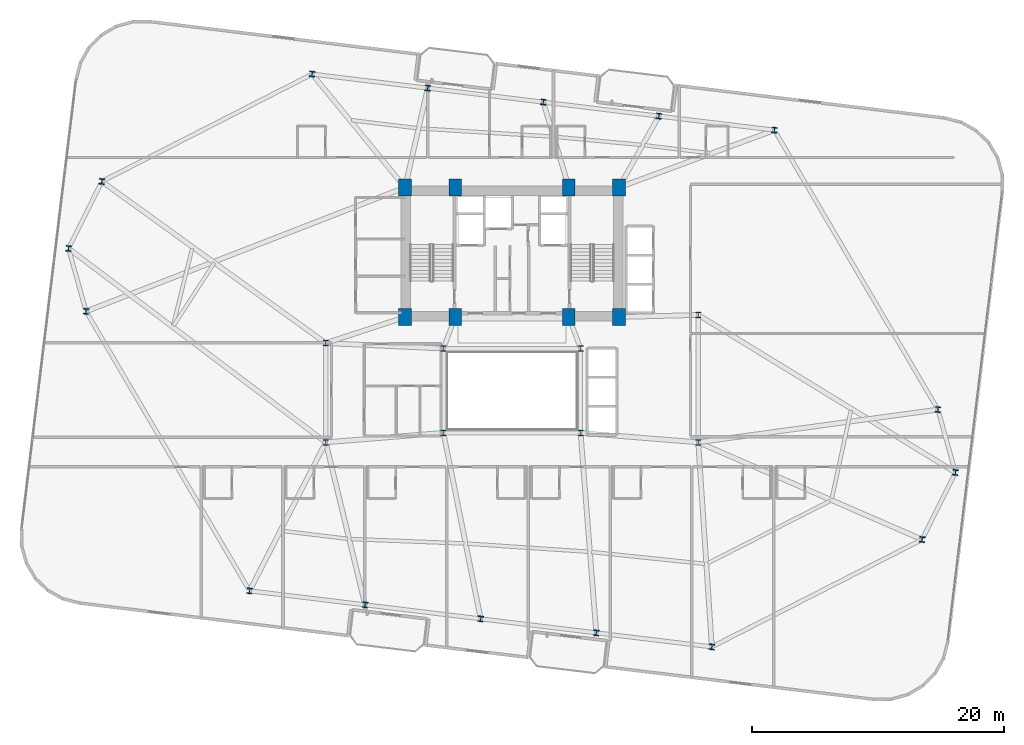
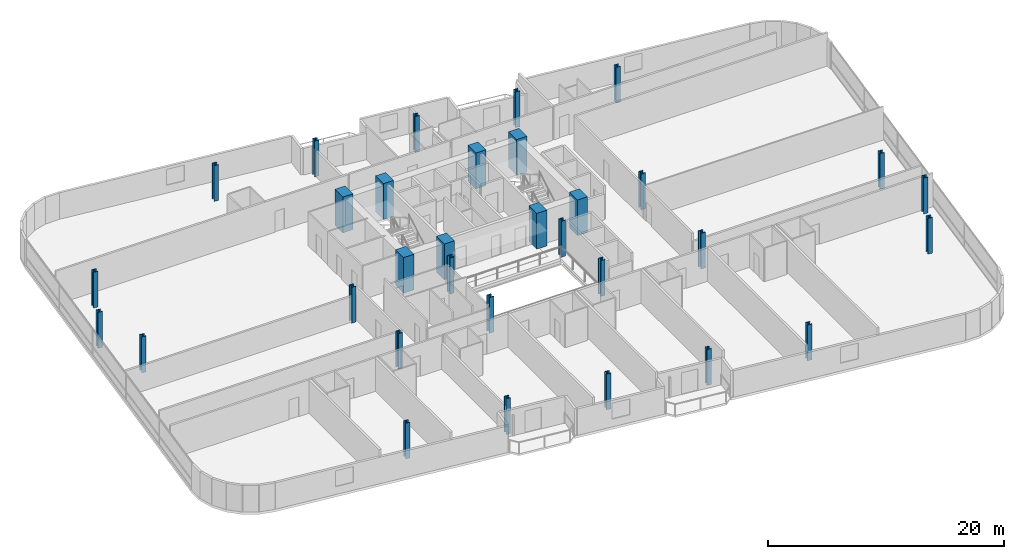
# One storey, part 1 of 26: 32 columns.
"""IFC4 building model written with IfcOpenShell, lengths in metres."""

from ifc_helpers import new_model, si_unit, direction, frame, origin, origin_2d, place, context, subcontext, project, spatial, rectangle, i_section, extrude, material, material_profile, profile_set, type_object, element, save


model = new_model("IFC4")

# Units and contexts
model_context = context("Model", 3, precision=1e-05, world=origin(), true_north=direction((0.0, 1.0)))
body_context = subcontext(model_context, "Body", "Model", "MODEL_VIEW")
ifc_project = project(units=[si_unit("LENGTHUNIT", "METRE"), si_unit("AREAUNIT", "SQUARE_METRE"), si_unit("VOLUMEUNIT", "CUBIC_METRE"), si_unit("PLANEANGLEUNIT", "RADIAN"), si_unit("MASSUNIT", "GRAM", prefix="KILO")], contexts=[model_context])

# Site, building, storey
site_placement = place(None, origin())
site = spatial("IfcSite", under=ifc_project, at=site_placement, CompositionType="ELEMENT")
building_placement = place(site_placement, origin())
building = spatial("IfcBuilding", under=site, at=building_placement, Name="Varnelok Gate Tower", CompositionType="ELEMENT")
storey_placement = place(building_placement, frame((0.0, 0.0, 129.10009765625)))
storey = spatial("IfcBuildingStorey", under=building, at=storey_placement, Name="L32", CompositionType="ELEMENT", Elevation=129.10009765625)

# Columns
ifc_material_1 = material(Name="Concrete C70/85", Category="concrete")
ifc_material_profile_1 = material_profile(ifc_material_1, rectangle(XDim=1.0, YDim=1.35009765625, at=origin_2d()), Name="RC1350X1000")
ifc_profile_set_1 = profile_set([ifc_material_profile_1], Name="Concrete C70/85")
column_type_1 = type_object("IfcColumnType", Name="COL-RC1350X1000", PredefinedType="COLUMN", material=ifc_profile_set_1)
for number, where, z_axis, x_axis, name in (
    (1, (30.699951171875, 28.75, 0.0), (0.0, 0.0, 1.0), (1.0, 0.0, 0.0), "L32 Core Spine Column SC1"),
    (2, (34.679931640625, 28.75, 0.0), (0.0, 0.0, 1.0), (1.0, 0.0, 0.0), "L32 Core Spine Column SC2"),
    (3, (43.719970703125, 28.75, 0.0), (0.0, 0.0, 1.0), (1.0, 0.0, 0.0), "L32 Core Spine Column SC3"),
    (4, (47.699951171875, 28.75, 0.0), (0.0, 0.0, 1.0), (1.0, 0.0, 0.0), "L32 Core Spine Column SC4"),
    (5, (30.699951171875, 39.050048828125, 0.0), (0.0, 0.0, 1.0), (1.0, 0.0, 0.0), "L32 Core Spine Column SC5"),
    (6, (34.679931640625, 39.050048828125, 0.0), (0.0, 0.0, 1.0), (1.0, 0.0, 0.0), "L32 Core Spine Column SC6"),
    (7, (43.719970703125, 39.050048828125, 0.0), (0.0, 0.0, 1.0), (1.0, 0.0, 0.0), "L32 Core Spine Column SC7"),
    (8, (47.699951171875, 39.050048828125, 0.0), (0.0, 0.0, 1.0), (1.0, 0.0, 0.0), "L32 Core Spine Column SC8"),
):
    element("IfcColumn", number, at=place(storey_placement, frame(where, z_axis=z_axis, x_axis=x_axis)), inside=storey, type_object=column_type_1, Name=name, PredefinedType="COLUMN", context=body_context, shape_type="SweptSolid", body=[
        extrude(rectangle(XDim=1.0, YDim=1.35009765625, at=origin_2d()), origin(), (0.0, 0.0, 1.0), 3.699951171875),
    ])
ifc_material_2 = material(Name="Structural Steel ASTM A992 Grade 50", Category="steel")
ifc_material_profile_2 = material_profile(ifc_material_2, i_section(OverallWidth=0.41796875, OverallDepth=0.455078125, WebThickness=0.0419921875, FlangeThickness=0.067626953125, FilletRadius=0.02490234375, at=origin_2d()), Name="W14X370")
ifc_profile_set_2 = profile_set([ifc_material_profile_2], Name="Structural Steel ASTM A992 Grade 50")
column_type_2 = type_object("IfcColumnType", Name="COL-W14X370", PredefinedType="COLUMN", material=ifc_profile_set_2)
for number, where, z_axis, x_axis, name in (
    (9, (18.345703125, 6.99658203125, 0.0), (0.0, 0.0, 1.0), (0.992732158755, -0.12034475881, 0.0), "L32 B3 Perimeter Column PC01"),
    (10, (27.528564453125, 5.883544921875, 0.0), (0.0, 0.0, 1.0), (0.992732158755, -0.12034475881, 0.0), "L32 B3 Perimeter Column PC02"),
    (11, (36.711181640625, 4.770263671875, 0.0), (0.0, 0.0, 1.0), (0.992732158755, -0.12034475881, 0.0), "L32 B3 Perimeter Column PC03"),
    (12, (45.89404296875, 3.656982421875, 0.0), (0.0, 0.0, 1.0), (0.992732158755, -0.12034475881, 0.0), "L32 B3 Perimeter Column PC04"),
    (13, (55.076904296875, 2.5439453125, 0.0), (0.0, 0.0, 1.0), (0.992732158755, -0.12034475881, 0.0), "L32 B3 Perimeter Column PC05"),
    (14, (71.79296875, 11.07421875, 0.0), (0.0, 0.0, 1.0), (0.992732158755, -0.12034475881, 0.0), "L32 B3 Perimeter Column PC06"),
    (15, (74.435546875, 16.40478515625, 0.0), (0.0, 0.0, 1.0), (0.992732158755, -0.12034475881, 0.0), "L32 B3 Perimeter Column PC07"),
    (16, (73.04443359375, 21.398681640625, 0.0), (0.0, 0.0, 1.0), (0.992732158755, -0.12034475881, 0.0), "L32 B3 Perimeter Column PC08"),
    (17, (60.05419921875, 43.603271484375, 0.0), (0.0, 0.0, 1.0), (0.992732158755, -0.12034475881, 0.0), "L32 B3 Perimeter Column PC09"),
    (18, (50.87158203125, 44.716552734375, 0.0), (0.0, 0.0, 1.0), (0.992732158755, -0.12034475881, 0.0), "L32 B3 Perimeter Column PC10"),
    (19, (41.688720703125, 45.82958984375, 0.0), (0.0, 0.0, 1.0), (0.992732158755, -0.12034475881, 0.0), "L32 B3 Perimeter Column PC11"),
    (20, (32.506103515625, 46.94287109375, 0.0), (0.0, 0.0, 1.0), (0.992732158755, -0.12034475881, 0.0), "L32 B3 Perimeter Column PC12"),
    (21, (23.3232421875, 48.05615234375, 0.0), (0.0, 0.0, 1.0), (0.992732158755, -0.12034475881, 0.0), "L32 B3 Perimeter Column PC13"),
    (22, (6.607177734375, 39.52587890625, 0.0), (0.0, 0.0, 1.0), (0.992732158755, -0.12034475881, 0.0), "L32 B3 Perimeter Column PC14"),
    (23, (3.96435546875, 34.195068359375, 0.0), (0.0, 0.0, 1.0), (0.992732158755, -0.12034475881, 0.0), "L32 B3 Perimeter Column PC15"),
    (24, (5.35546875, 29.201416015625, 0.0), (0.0, 0.0, 1.0), (0.992732158755, -0.12034475881, 0.0), "L32 B3 Perimeter Column PC16"),
):
    element("IfcColumn", number, at=place(storey_placement, frame(where, z_axis=z_axis, x_axis=x_axis)), inside=storey, type_object=column_type_2, Name=name, PredefinedType="COLUMN", context=body_context, shape_type="SweptSolid", body=[
        extrude(i_section(OverallWidth=0.41796875, OverallDepth=0.455078125, WebThickness=0.0419921875, FlangeThickness=0.067626953125, FilletRadius=0.02490234375, at=origin_2d()), origin(), (0.0, 0.0, 1.0), 3.699951171875),
    ])
ifc_material_profile_3 = material_profile(ifc_material_2, i_section(OverallWidth=0.424072265625, OverallDepth=0.47412109375, WebThickness=0.047607421875, FlangeThickness=0.0771484375, FilletRadius=0.02490234375, at=origin_2d()), Name="W14X426")
ifc_profile_set_3 = profile_set([ifc_material_profile_3], Name="Structural Steel ASTM A992 Grade 50")
column_type_3 = type_object("IfcColumnType", Name="COL-W14X426", PredefinedType="COLUMN", material=ifc_profile_set_3)
for number, where, z_axis, x_axis, name in (
    (25, (33.75, 19.550048828125, 0.0), (0.0, 0.0, 1.0), (1.0, 0.0, 0.0), "L32 Atrium Spine Column AC1"),
    (26, (44.64990234375, 19.550048828125, 0.0), (0.0, 0.0, 1.0), (1.0, 0.0, 0.0), "L32 Atrium Spine Column AC2"),
    (27, (33.75, 26.25, 0.0), (0.0, 0.0, 1.0), (1.0, 0.0, 0.0), "L32 Atrium Spine Column AC3"),
    (28, (44.64990234375, 26.25, 0.0), (0.0, 0.0, 1.0), (1.0, 0.0, 0.0), "L32 Atrium Spine Column AC4"),
    (29, (24.39990234375, 18.800048828125, 0.0), (0.0, 0.0, 1.0), (1.0, 0.0, 0.0), "L32 Wing Spine Column WS1"),
    (30, (24.39990234375, 26.679931640625, 0.0), (0.0, 0.0, 1.0), (1.0, 0.0, 0.0), "L32 Wing Spine Column WS2"),
    (31, (54.0, 18.800048828125, 0.0), (0.0, 0.0, 1.0), (1.0, 0.0, 0.0), "L32 Wing Spine Column ES1"),
    (32, (54.0, 28.919921875, 0.0), (0.0, 0.0, 1.0), (1.0, 0.0, 0.0), "L32 Wing Spine Column ES2"),
):
    element("IfcColumn", number, at=place(storey_placement, frame(where, z_axis=z_axis, x_axis=x_axis)), inside=storey, type_object=column_type_3, Name=name, PredefinedType="COLUMN", context=body_context, shape_type="SweptSolid", body=[
        extrude(i_section(OverallWidth=0.424072265625, OverallDepth=0.47412109375, WebThickness=0.047607421875, FlangeThickness=0.0771484375, FilletRadius=0.02490234375, at=origin_2d()), origin(), (0.0, 0.0, 1.0), 3.699951171875),
    ])

save(model, "model.ifc")
